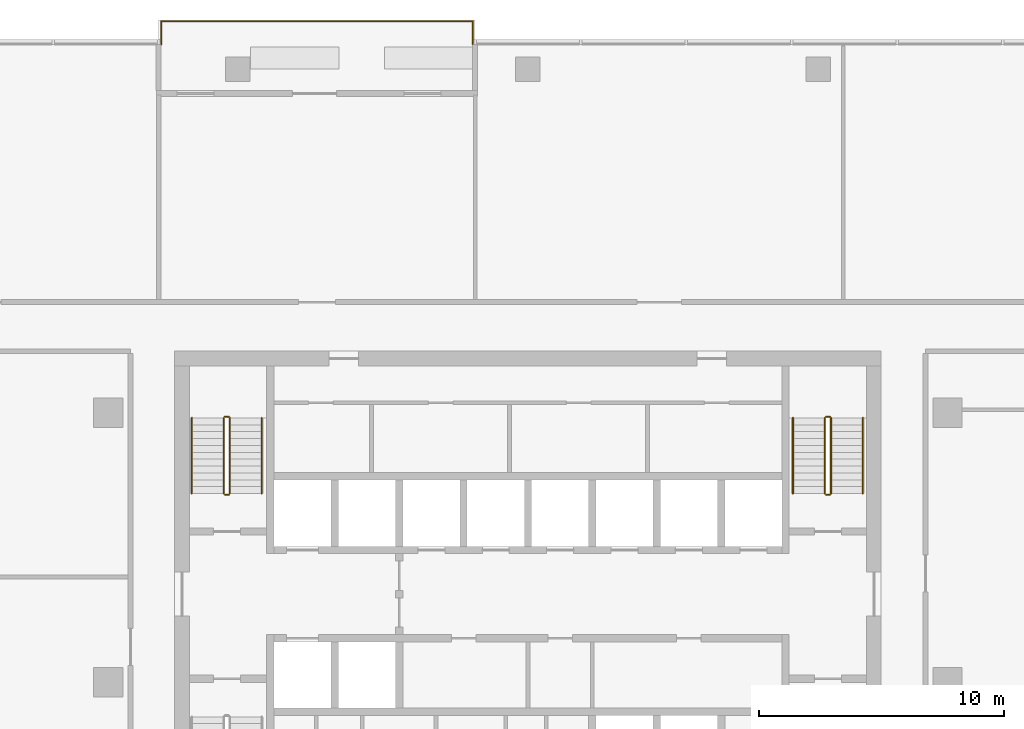
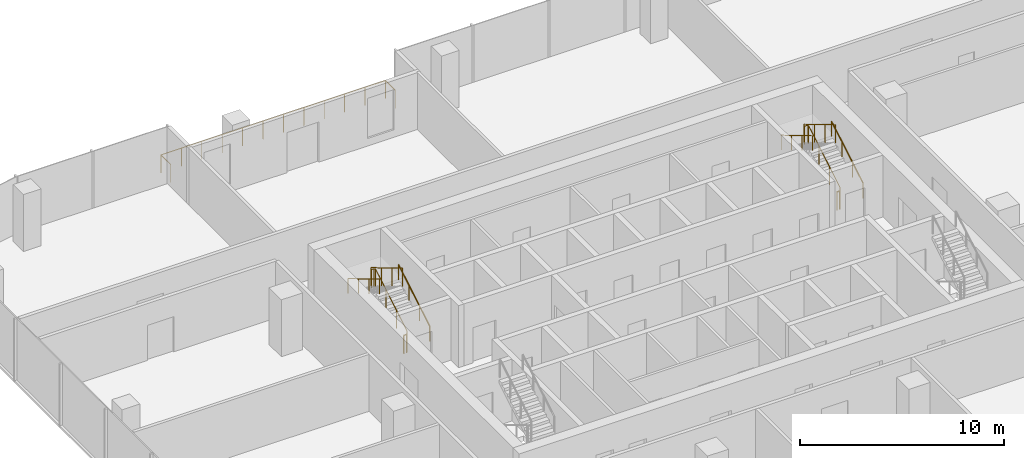
# One storey, part 13 of 13: 11 railings.
"""IFC4 building model written with IfcOpenShell, lengths in metres."""

from ifc_helpers import new_model, si_unit, direction, frame, origin, origin_2d, place, context, subcontext, project, spatial, circle, extrude, material, type_object, element, save


model = new_model("IFC4")

# Units and contexts
model_context = context("Model", 3, precision=1e-05, world=origin(), true_north=direction((0.0, 1.0)))
body_context = subcontext(model_context, "Body", "Model", "MODEL_VIEW")
ifc_project = project(units=[si_unit("LENGTHUNIT", "METRE"), si_unit("AREAUNIT", "SQUARE_METRE"), si_unit("VOLUMEUNIT", "CUBIC_METRE"), si_unit("PLANEANGLEUNIT", "RADIAN"), si_unit("MASSUNIT", "GRAM", prefix="KILO")], contexts=[model_context])

# Site, building, storey
site_placement = place(None, origin())
site = spatial("IfcSite", under=ifc_project, at=site_placement, CompositionType="ELEMENT")
building_placement = place(site_placement, origin())
building = spatial("IfcBuilding", under=site, at=building_placement, Name="Mopane Tessera Tower", CompositionType="ELEMENT")
storey_placement = place(building_placement, frame((0.0, 0.0, 311.39990234375)))
storey = spatial("IfcBuildingStorey", under=building, at=storey_placement, Name="L68", CompositionType="ELEMENT", Elevation=311.39990234375)

# Railings
ifc_material_1 = material(Name="Powder-coated steel balustrade", Category="steel")
railing_type_1 = type_object("IfcRailingType", Name="Escape stair guard 1100 mm", PredefinedType="GUARDRAIL", material=ifc_material_1)
railing_1_placement = place(storey_placement, frame((-12.14990234375, 7.699951171875, 0.166748046875)))
element("IfcRailing", 1, at=railing_1_placement, inside=storey, type_object=railing_type_1, Name="L68 ST2 stair guard 1", PredefinedType="GUARDRAIL", context=body_context, shape_type="SweptSolid", body=[
    extrude(circle(Radius=0.02392578125, at=origin_2d()), frame((0.0, 0.0, 1.076171875), z_axis=(0.0, 0.859308565015, 0.511457515432), x_axis=(-1.0, 0.0, 0.0)), (0.0, 0.0, 1.0), 3.58447265625),
    extrude(circle(Radius=0.02392578125, at=origin_2d()), frame((0.0, 3.080078125, 2.9091796875), z_axis=(-0.707106781187, 0.707106781187, 0.0), x_axis=(-0.707106781187, -0.707106781187, 0.0)), (0.0, 0.0, 1.0), 0.07080078125),
    extrude(circle(Radius=0.02392578125, at=origin_2d()), frame((-0.050048828125, 3.130126953125, 2.9091796875), z_axis=(-1.0, 0.0, 0.0), x_axis=(0.0, -1.0, 0.0)), (0.0, 0.0, 1.0), 0.150146484375),
    extrude(circle(Radius=0.02099609375, at=origin_2d()), origin(), (0.0, 0.0, 1.0), 1.052001953125),
    extrude(circle(Radius=0.02099609375, at=origin_2d()), frame((0.0, 1.026611328125, 0.611083984375)), (0.0, 0.0, 1.0), 1.052001953125),
    extrude(circle(Radius=0.02099609375, at=origin_2d()), frame((0.0, 2.053466796875, 1.22216796875)), (0.0, 0.0, 1.0), 1.052001953125),
    extrude(circle(Radius=0.02099609375, at=origin_2d()), frame((0.0, 3.080078125, 1.833251953125)), (0.0, 0.0, 1.0), 1.052001953125),
    extrude(circle(Radius=0.02099609375, at=origin_2d()), frame((-0.050048828125, 3.130126953125, 1.833251953125)), (0.0, 0.0, 1.0), 1.052001953125),
    extrude(circle(Radius=0.02099609375, at=origin_2d()), frame((-0.2001953125, 3.130126953125, 1.833251953125)), (0.0, 0.0, 1.0), 1.052001953125),
])
railing_2_placement = place(storey_placement, frame((-12.39990234375, 10.780029296875, 2.166748046875)))
element("IfcRailing", 2, at=railing_2_placement, inside=storey, type_object=railing_type_1, Name="L68 ST2 stair guard 2", PredefinedType="GUARDRAIL", context=body_context, shape_type="SweptSolid", body=[
    extrude(circle(Radius=0.02392578125, at=origin_2d()), frame((0.0, 0.0, 1.076171875), z_axis=(0.0, -0.859308565015, 0.511457515432), x_axis=(1.0, 0.0, 0.0)), (0.0, 0.0, 1.0), 3.58447265625),
    extrude(circle(Radius=0.02099609375, at=origin_2d()), origin(), (0.0, 0.0, 1.0), 1.052001953125),
    extrude(circle(Radius=0.02099609375, at=origin_2d()), frame((0.0, -1.026611328125, 0.611083984375)), (0.0, 0.0, 1.0), 1.052001953125),
    extrude(circle(Radius=0.02099609375, at=origin_2d()), frame((0.0, -2.053466796875, 1.22216796875)), (0.0, 0.0, 1.0), 1.052001953125),
    extrude(circle(Radius=0.02099609375, at=origin_2d()), frame((0.0, -3.080078125, 1.833251953125)), (0.0, 0.0, 1.0), 1.052001953125),
])
railing_3_placement = place(storey_placement, frame((-12.199951171875, 7.64990234375, 0.0)))
element("IfcRailing", 3, at=railing_3_placement, inside=storey, type_object=railing_type_1, Name="L68 ST2 stair guard 3", PredefinedType="GUARDRAIL", context=body_context, shape_type="SweptSolid", body=[
    extrude(circle(Radius=0.02392578125, at=origin_2d()), frame((0.0, 0.0, 1.076171875), z_axis=(-1.0, 0.0, 0.0), x_axis=(0.0, -1.0, 0.0)), (0.0, 0.0, 1.0), 0.150146484375),
    extrude(circle(Radius=0.02099609375, at=origin_2d()), origin(), (0.0, 0.0, 1.0), 1.052001953125),
    extrude(circle(Radius=0.02099609375, at=origin_2d()), frame((-0.150146484375, 0.0, 0.0)), (0.0, 0.0, 1.0), 1.052001953125),
])
railing_4_placement = place(storey_placement, frame((12.35009765625, 7.699951171875, 0.166748046875)))
element("IfcRailing", 4, at=railing_4_placement, inside=storey, type_object=railing_type_1, Name="L68 ST4 stair guard 1", PredefinedType="GUARDRAIL", context=body_context, shape_type="SweptSolid", body=[
    extrude(circle(Radius=0.02392578125, at=origin_2d()), frame((0.0, 0.0, 1.076171875), z_axis=(0.0, 0.859308565015, 0.511457515432), x_axis=(-1.0, 0.0, 0.0)), (0.0, 0.0, 1.0), 3.58447265625),
    extrude(circle(Radius=0.02392578125, at=origin_2d()), frame((0.0, 3.080078125, 2.9091796875), z_axis=(-0.707106781187, 0.707106781187, 0.0), x_axis=(-0.707106781187, -0.707106781187, 0.0)), (0.0, 0.0, 1.0), 0.07080078125),
    extrude(circle(Radius=0.02392578125, at=origin_2d()), frame((-0.050048828125, 3.130126953125, 2.9091796875), z_axis=(-1.0, 0.0, 0.0), x_axis=(0.0, -1.0, 0.0)), (0.0, 0.0, 1.0), 0.150146484375),
    extrude(circle(Radius=0.02099609375, at=origin_2d()), origin(), (0.0, 0.0, 1.0), 1.052001953125),
    extrude(circle(Radius=0.02099609375, at=origin_2d()), frame((0.0, 1.026611328125, 0.611083984375)), (0.0, 0.0, 1.0), 1.052001953125),
    extrude(circle(Radius=0.02099609375, at=origin_2d()), frame((0.0, 2.053466796875, 1.22216796875)), (0.0, 0.0, 1.0), 1.052001953125),
    extrude(circle(Radius=0.02099609375, at=origin_2d()), frame((0.0, 3.080078125, 1.833251953125)), (0.0, 0.0, 1.0), 1.052001953125),
    extrude(circle(Radius=0.02099609375, at=origin_2d()), frame((-0.050048828125, 3.130126953125, 1.833251953125)), (0.0, 0.0, 1.0), 1.052001953125),
    extrude(circle(Radius=0.02099609375, at=origin_2d()), frame((-0.2001953125, 3.130126953125, 1.833251953125)), (0.0, 0.0, 1.0), 1.052001953125),
])
railing_5_placement = place(storey_placement, frame((12.10009765625, 10.780029296875, 2.166748046875)))
element("IfcRailing", 5, at=railing_5_placement, inside=storey, type_object=railing_type_1, Name="L68 ST4 stair guard 2", PredefinedType="GUARDRAIL", context=body_context, shape_type="SweptSolid", body=[
    extrude(circle(Radius=0.02392578125, at=origin_2d()), frame((0.0, 0.0, 1.076171875), z_axis=(0.0, -0.859308565015, 0.511457515432), x_axis=(1.0, 0.0, 0.0)), (0.0, 0.0, 1.0), 3.58447265625),
    extrude(circle(Radius=0.02099609375, at=origin_2d()), origin(), (0.0, 0.0, 1.0), 1.052001953125),
    extrude(circle(Radius=0.02099609375, at=origin_2d()), frame((0.0, -1.026611328125, 0.611083984375)), (0.0, 0.0, 1.0), 1.052001953125),
    extrude(circle(Radius=0.02099609375, at=origin_2d()), frame((0.0, -2.053466796875, 1.22216796875)), (0.0, 0.0, 1.0), 1.052001953125),
    extrude(circle(Radius=0.02099609375, at=origin_2d()), frame((0.0, -3.080078125, 1.833251953125)), (0.0, 0.0, 1.0), 1.052001953125),
])
railing_6_placement = place(storey_placement, frame((12.300048828125, 7.64990234375, 0.0)))
element("IfcRailing", 6, at=railing_6_placement, inside=storey, type_object=railing_type_1, Name="L68 ST4 stair guard 3", PredefinedType="GUARDRAIL", context=body_context, shape_type="SweptSolid", body=[
    extrude(circle(Radius=0.02392578125, at=origin_2d()), frame((0.0, 0.0, 1.076171875), z_axis=(-1.0, 0.0, 0.0), x_axis=(0.0, -1.0, 0.0)), (0.0, 0.0, 1.0), 0.150146484375),
    extrude(circle(Radius=0.02099609375, at=origin_2d()), origin(), (0.0, 0.0, 1.0), 1.052001953125),
    extrude(circle(Radius=0.02099609375, at=origin_2d()), frame((-0.150146484375, 0.0, 0.0)), (0.0, 0.0, 1.0), 1.052001953125),
])
ifc_material_2 = material(Name="Powder-coated steel balustrade", Category="steel")
railing_type_2 = type_object("IfcRailingType", Name="Escape stair handrail 900 mm", PredefinedType="HANDRAIL", material=ifc_material_2)
railing_7_placement = place(storey_placement, frame((-10.85009765625, 7.699951171875, 0.166748046875)))
element("IfcRailing", 7, at=railing_7_placement, inside=storey, type_object=railing_type_2, Name="L68 ST2 stair handrail 1", PredefinedType="HANDRAIL", context=body_context, shape_type="SweptSolid", body=[
    extrude(circle(Radius=0.02392578125, at=origin_2d()), frame((0.0, 0.0, 0.8759765625), z_axis=(0.0, 0.859308565015, 0.511457515432), x_axis=(-1.0, 0.0, 0.0)), (0.0, 0.0, 1.0), 3.58447265625),
    extrude(circle(Radius=0.02099609375, at=origin_2d()), origin(), (0.0, 0.0, 1.0), 0.851806640625),
    extrude(circle(Radius=0.02099609375, at=origin_2d()), frame((0.0, 1.026611328125, 0.611083984375)), (0.0, 0.0, 1.0), 0.851806640625),
    extrude(circle(Radius=0.02099609375, at=origin_2d()), frame((0.0, 2.053466796875, 1.22216796875)), (0.0, 0.0, 1.0), 0.851806640625),
    extrude(circle(Radius=0.02099609375, at=origin_2d()), frame((0.0, 3.080078125, 1.833251953125)), (0.0, 0.0, 1.0), 0.851806640625),
])
railing_8_placement = place(storey_placement, frame((-13.699951171875, 10.780029296875, 2.166748046875)))
element("IfcRailing", 8, at=railing_8_placement, inside=storey, type_object=railing_type_2, Name="L68 ST2 stair handrail 2", PredefinedType="HANDRAIL", context=body_context, shape_type="SweptSolid", body=[
    extrude(circle(Radius=0.02392578125, at=origin_2d()), frame((0.0, 0.0, 0.8759765625), z_axis=(0.0, -0.859308565015, 0.511457515432), x_axis=(1.0, 0.0, 0.0)), (0.0, 0.0, 1.0), 3.58447265625),
    extrude(circle(Radius=0.02099609375, at=origin_2d()), origin(), (0.0, 0.0, 1.0), 0.851806640625),
    extrude(circle(Radius=0.02099609375, at=origin_2d()), frame((0.0, -1.026611328125, 0.611083984375)), (0.0, 0.0, 1.0), 0.851806640625),
    extrude(circle(Radius=0.02099609375, at=origin_2d()), frame((0.0, -2.053466796875, 1.22216796875)), (0.0, 0.0, 1.0), 0.851806640625),
    extrude(circle(Radius=0.02099609375, at=origin_2d()), frame((0.0, -3.080078125, 1.833251953125)), (0.0, 0.0, 1.0), 0.851806640625),
])
railing_9_placement = place(storey_placement, frame((13.64990234375, 7.699951171875, 0.166748046875)))
element("IfcRailing", 9, at=railing_9_placement, inside=storey, type_object=railing_type_2, Name="L68 ST4 stair handrail 1", PredefinedType="HANDRAIL", context=body_context, shape_type="SweptSolid", body=[
    extrude(circle(Radius=0.02392578125, at=origin_2d()), frame((0.0, 0.0, 0.8759765625), z_axis=(0.0, 0.859308565015, 0.511457515432), x_axis=(-1.0, 0.0, 0.0)), (0.0, 0.0, 1.0), 3.58447265625),
    extrude(circle(Radius=0.02099609375, at=origin_2d()), origin(), (0.0, 0.0, 1.0), 0.851806640625),
    extrude(circle(Radius=0.02099609375, at=origin_2d()), frame((0.0, 1.026611328125, 0.611083984375)), (0.0, 0.0, 1.0), 0.851806640625),
    extrude(circle(Radius=0.02099609375, at=origin_2d()), frame((0.0, 2.053466796875, 1.22216796875)), (0.0, 0.0, 1.0), 0.851806640625),
    extrude(circle(Radius=0.02099609375, at=origin_2d()), frame((0.0, 3.080078125, 1.833251953125)), (0.0, 0.0, 1.0), 0.851806640625),
])
railing_10_placement = place(storey_placement, frame((10.800048828125, 10.780029296875, 2.166748046875)))
element("IfcRailing", 10, at=railing_10_placement, inside=storey, type_object=railing_type_2, Name="L68 ST4 stair handrail 2", PredefinedType="HANDRAIL", context=body_context, shape_type="SweptSolid", body=[
    extrude(circle(Radius=0.02392578125, at=origin_2d()), frame((0.0, 0.0, 0.8759765625), z_axis=(0.0, -0.859308565015, 0.511457515432), x_axis=(1.0, 0.0, 0.0)), (0.0, 0.0, 1.0), 3.58447265625),
    extrude(circle(Radius=0.02099609375, at=origin_2d()), origin(), (0.0, 0.0, 1.0), 0.851806640625),
    extrude(circle(Radius=0.02099609375, at=origin_2d()), frame((0.0, -1.026611328125, 0.611083984375)), (0.0, 0.0, 1.0), 0.851806640625),
    extrude(circle(Radius=0.02099609375, at=origin_2d()), frame((0.0, -2.053466796875, 1.22216796875)), (0.0, 0.0, 1.0), 0.851806640625),
    extrude(circle(Radius=0.02099609375, at=origin_2d()), frame((0.0, -3.080078125, 1.833251953125)), (0.0, 0.0, 1.0), 0.851806640625),
])
ifc_material_3 = material(Name="Stainless steel S316", Category="steel")
railing_type_3 = type_object("IfcRailingType", Name="Terrace guard 1100", PredefinedType="GUARDRAIL", material=ifc_material_3)
railing_11_placement = place(storey_placement, frame((-2.25, 26.0, 0.0)))
element("IfcRailing", 11, at=railing_11_placement, inside=storey, type_object=railing_type_3, Name="e:nw:L68:N2:guard", PredefinedType="GUARDRAIL", context=body_context, shape_type="SweptSolid", body=[
    extrude(circle(Radius=0.02392578125, at=origin_2d()), frame((0.0, 0.0, 1.076171875), z_axis=(0.0, 1.0, 0.0), x_axis=(-1.0, 0.0, 0.0)), (0.0, 0.0, 1.0), 0.949951171875),
    extrude(circle(Radius=0.02392578125, at=origin_2d()), frame((0.0, 0.949951171875, 1.076171875), z_axis=(-1.0, 0.0, 0.0), x_axis=(0.0, -1.0, 0.0)), (0.0, 0.0, 1.0), 12.699951171875),
    extrude(circle(Radius=0.02392578125, at=origin_2d()), frame((-12.699951171875, 0.949951171875, 1.076171875), z_axis=(0.0, -1.0, 0.0), x_axis=(1.0, 0.0, 0.0)), (0.0, 0.0, 1.0), 0.949951171875),
    extrude(circle(Radius=0.02099609375, at=origin_2d()), origin(), (0.0, 0.0, 1.0), 1.052001953125),
    extrude(circle(Radius=0.02099609375, at=origin_2d()), frame((0.0, 0.949951171875, 0.0)), (0.0, 0.0, 1.0), 1.052001953125),
    extrude(circle(Radius=0.02099609375, at=origin_2d()), frame((-1.154541015625, 0.949951171875, 0.0)), (0.0, 0.0, 1.0), 1.052001953125),
    extrude(circle(Radius=0.02099609375, at=origin_2d()), frame((-2.30908203125, 0.949951171875, 0.0)), (0.0, 0.0, 1.0), 1.052001953125),
    extrude(circle(Radius=0.02099609375, at=origin_2d()), frame((-3.463623046875, 0.949951171875, 0.0)), (0.0, 0.0, 1.0), 1.052001953125),
    extrude(circle(Radius=0.02099609375, at=origin_2d()), frame((-4.6181640625, 0.949951171875, 0.0)), (0.0, 0.0, 1.0), 1.052001953125),
    extrude(circle(Radius=0.02099609375, at=origin_2d()), frame((-5.772705078125, 0.949951171875, 0.0)), (0.0, 0.0, 1.0), 1.052001953125),
    extrude(circle(Radius=0.02099609375, at=origin_2d()), frame((-6.92724609375, 0.949951171875, 0.0)), (0.0, 0.0, 1.0), 1.052001953125),
    extrude(circle(Radius=0.02099609375, at=origin_2d()), frame((-8.081787109375, 0.949951171875, 0.0)), (0.0, 0.0, 1.0), 1.052001953125),
    extrude(circle(Radius=0.02099609375, at=origin_2d()), frame((-9.236328125, 0.949951171875, 0.0)), (0.0, 0.0, 1.0), 1.052001953125),
    extrude(circle(Radius=0.02099609375, at=origin_2d()), frame((-10.390869140625, 0.949951171875, 0.0)), (0.0, 0.0, 1.0), 1.052001953125),
    extrude(circle(Radius=0.02099609375, at=origin_2d()), frame((-11.54541015625, 0.949951171875, 0.0)), (0.0, 0.0, 1.0), 1.052001953125),
    extrude(circle(Radius=0.02099609375, at=origin_2d()), frame((-12.699951171875, 0.949951171875, 0.0)), (0.0, 0.0, 1.0), 1.052001953125),
    extrude(circle(Radius=0.02099609375, at=origin_2d()), frame((-12.699951171875, 0.0, 0.0)), (0.0, 0.0, 1.0), 1.052001953125),
])

save(model, "model.ifc")
